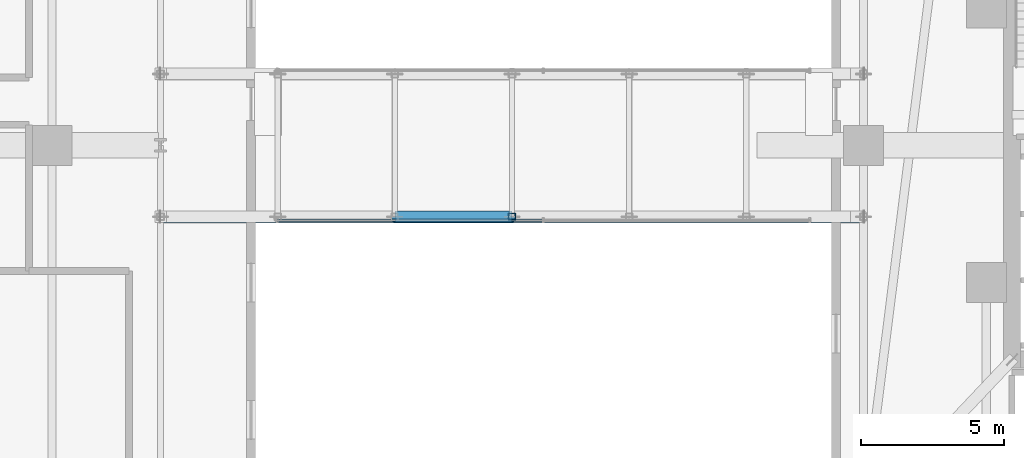
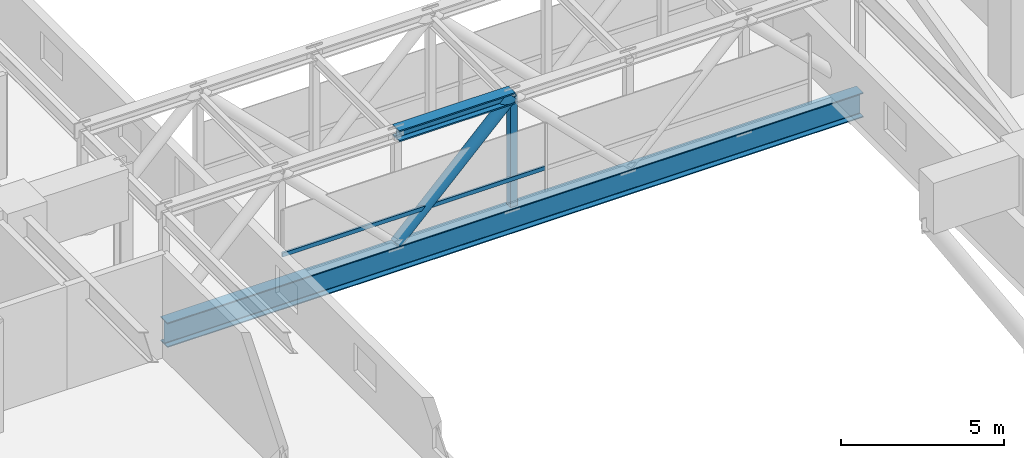
# One storey, part 9 of 38: 4 members, 1 beam, 1 element without a shape of its own.
"""IFC4 building model written with IfcOpenShell, lengths in metres."""

from ifc_helpers import new_model, si_unit, direction, frame, origin, origin_2d, place, context, subcontext, project, spatial, hollow_rectangle, hollow_circle, i_section, extrude, material, material_profile, profile_set, type_object, element, aggregate, save


model = new_model("IFC4")

# Units and contexts
model_context = context("Model", 3, precision=1e-05, world=origin(), true_north=direction((0.0, 1.0)))
body_context = subcontext(model_context, "Body", "Model", "MODEL_VIEW")
ifc_project = project(units=[si_unit("LENGTHUNIT", "METRE"), si_unit("AREAUNIT", "SQUARE_METRE"), si_unit("VOLUMEUNIT", "CUBIC_METRE"), si_unit("PLANEANGLEUNIT", "RADIAN"), si_unit("MASSUNIT", "GRAM", prefix="KILO")], contexts=[model_context])

# Site, building, storey
site_placement = place(None, origin())
site = spatial("IfcSite", under=ifc_project, at=site_placement, CompositionType="ELEMENT")
building_placement = place(site_placement, origin())
building = spatial("IfcBuilding", under=site, at=building_placement, Name="Thornwick Lancets Civic Towers", CompositionType="ELEMENT")
storey_placement = place(building_placement, frame((0.0, 0.0, 71.699951171875)))
storey = spatial("IfcBuildingStorey", under=building, at=storey_placement, Name="L18", CompositionType="ELEMENT", Elevation=71.699951171875)

# Beam
ifc_material_1 = material(Name="Steel S460M", Category="steel")
ifc_material_profile_1 = material_profile(ifc_material_1, i_section(OverallWidth=0.42041015625, OverallDepth=0.9208984375, WebThickness=0.021484375, FlangeThickness=0.03662109375, FilletRadius=0.024169921875, at=origin_2d()), Name="UKB 914x419x388")
ifc_profile_set_1 = profile_set([ifc_material_profile_1], Name="Steel S460M")
beam_type = type_object("IfcBeamType", Name="BM_TR_914_388", PredefinedType="BEAM", material=ifc_profile_set_1)
beam_placement = place(storey_placement, frame((46.60009765625, 24.5, -0.680419921875), z_axis=(1.0, 0.0, 0.0), x_axis=(0.0, 1.0, 0.0)))
element("IfcBeam", 1, at=beam_placement, inside=storey, type_object=beam_type, Name="BM-L18-SB-MAIN-1", PredefinedType="BEAM", context=body_context, shape_type="SweptSolid", body=[
    extrude(i_section(OverallWidth=0.42041015625, OverallDepth=0.9208984375, WebThickness=0.021484375, FlangeThickness=0.03662109375, FilletRadius=0.024169921875, at=origin_2d()), origin(), (0.0, 0.0, 1.0), 24.599853515625),
])

# Curtain wall, member
ifc_material_2 = material(Name="Skybridge acoustic laminated-glass curtain wall", Category="glass")
curtain_wall_type = type_object("IfcCurtainWallType", Name="CW_SYS_06", PredefinedType="NOTDEFINED", material=ifc_material_2)
curtain_wall_placement = place(storey_placement, origin())
curtain_wall = element("IfcCurtainWall", 2, at=curtain_wall_placement, inside=storey, type_object=curtain_wall_type, Name="L18 Curtain Wall CW-L18-SKYBRIDGE-S", PredefinedType="NOTDEFINED")
ifc_material_3 = material(Name="Thermally broken bronze aluminium S355", Category="steel")
ifc_material_profile_2 = material_profile(ifc_material_3, hollow_rectangle(XDim=0.074951171875, YDim=0.14990234375, WallThickness=0.0048828125, at=origin_2d()), Name="RHS 150x75x5")
ifc_profile_set_2 = profile_set([ifc_material_profile_2], Name="Thermally broken bronze aluminium S355")
member_type_1 = type_object("IfcMemberType", Name="CW_TRN_150", PredefinedType="USERDEFINED", material=ifc_profile_set_2)
member_1_placement = place(storey_placement, frame((50.699951171875, 24.3798828125, 0.85009765625), z_axis=(1.0, 0.0, 0.0), x_axis=(0.0, 1.0, 0.0)))
member_1 = element("IfcMember", 3, at=member_1_placement, type_object=member_type_1, Name="CW-L18-SKYBRIDGE-S Transom 0", ObjectType="TRANSOM", PredefinedType="USERDEFINED", context=body_context, shape_type="SweptSolid", body=[
    extrude(hollow_rectangle(XDim=0.074951171875, YDim=0.14990234375, WallThickness=0.0048828125, at=origin_2d()), origin(), (0.0, 0.0, 1.0), 9.280029296875),
])
aggregate(curtain_wall, [member_1])

# Members
ifc_material_profile_3 = material_profile(ifc_material_1, i_section(OverallWidth=0.406982421875, OverallDepth=0.4189453125, WebThickness=0.030517578125, FlangeThickness=0.04931640625, FilletRadius=0.01513671875, at=origin_2d()), Name="UKC 356x406x393")
ifc_profile_set_3 = profile_set([ifc_material_profile_3], Name="Steel S460M")
member_type_2 = type_object("IfcMemberType", Name="MEM_BRG_CHORD_393", PredefinedType="CHORD", material=ifc_profile_set_3)
member_2_placement = place(storey_placement, frame((54.800048828125, 24.5, 3.880126953125), z_axis=(1.0, 0.0, 0.0), x_axis=(0.0, 1.0, 0.0)))
element("IfcMember", 4, at=member_2_placement, inside=storey, type_object=member_type_2, Name="L18 Skybridge Top Chord 1-2", PredefinedType="CHORD", context=body_context, shape_type="SweptSolid", body=[
    extrude(i_section(OverallWidth=0.406982421875, OverallDepth=0.4189453125, WebThickness=0.030517578125, FlangeThickness=0.04931640625, FilletRadius=0.01513671875, at=origin_2d()), origin(), (0.0, 0.0, 1.0), 4.099853515625),
])
ifc_material_profile_4 = material_profile(ifc_material_1, hollow_circle(Radius=0.203125, WallThickness=0.02001953125, at=origin_2d()), Name="CHS 406.4x20")
ifc_profile_set_4 = profile_set([ifc_material_profile_4], Name="Steel S460M")
member_type_3 = type_object("IfcMemberType", Name="MEM_BRG_WEB_CHS406", PredefinedType="BRACE", material=ifc_profile_set_4)
member_3_placement = place(storey_placement, frame((54.800048828125, 24.5, -0.219970703125), z_axis=(0.707085727883, 0.0, 0.707127833863), x_axis=(0.0, 1.0, 0.0)))
element("IfcMember", 5, at=member_3_placement, inside=storey, type_object=member_type_3, Name="L18 Skybridge Truss Diagonal 1-2", PredefinedType="BRACE", context=body_context, shape_type="SweptSolid", body=[
    extrude(hollow_circle(Radius=0.203125, WallThickness=0.02001953125, at=origin_2d()), origin(), (0.0, 0.0, 1.0), 5.79833984375),
])
ifc_material_profile_5 = material_profile(ifc_material_1, hollow_rectangle(XDim=0.25, YDim=0.25, WallThickness=0.01611328125, at=origin_2d()), Name="SHS 250x250x16")
ifc_profile_set_5 = profile_set([ifc_material_profile_5], Name="Steel S460M")
member_type_4 = type_object("IfcMemberType", Name="MEM_BRG_WEB_SHS250", PredefinedType="BRACE", material=ifc_profile_set_5)
member_4_placement = place(storey_placement, frame((58.89990234375, 24.5, -0.219970703125), z_axis=(0.0, 0.0, 1.0), x_axis=(1.0, 0.0, 0.0)))
element("IfcMember", 6, at=member_4_placement, inside=storey, type_object=member_type_4, Name="L18 Skybridge Truss Post 1-3", PredefinedType="BRACE", context=body_context, shape_type="SweptSolid", body=[
    extrude(hollow_rectangle(XDim=0.25, YDim=0.25, WallThickness=0.01611328125, at=origin_2d()), origin(), (0.0, 0.0, 1.0), 4.10009765625),
])

save(model, "model.ifc")
